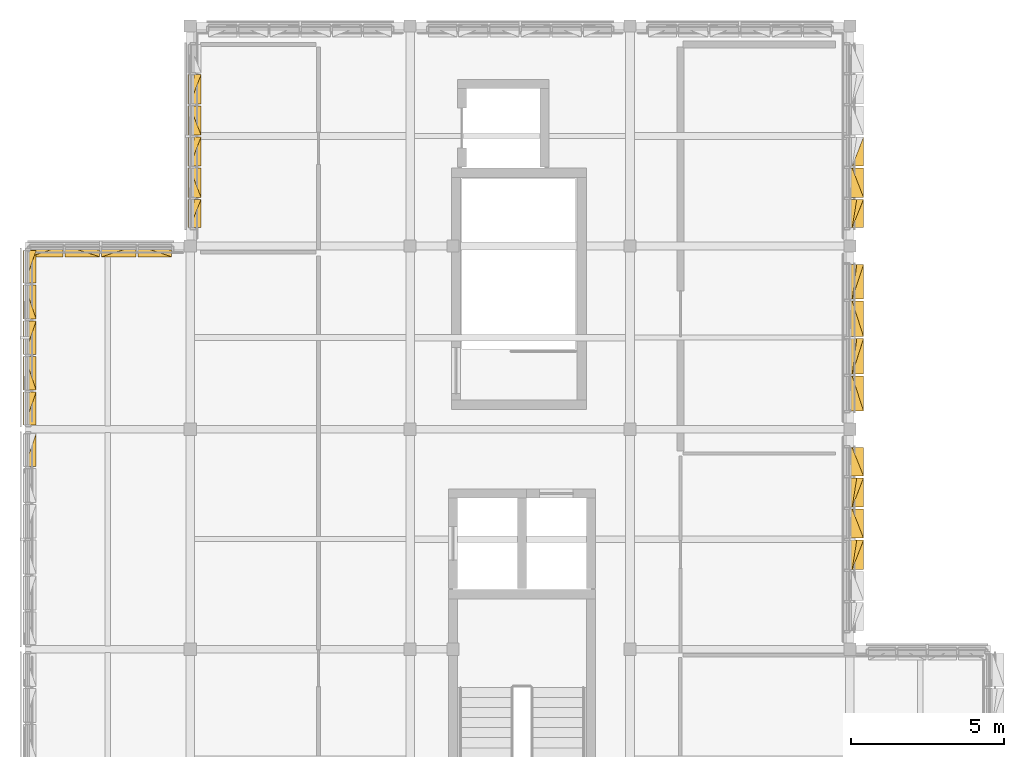
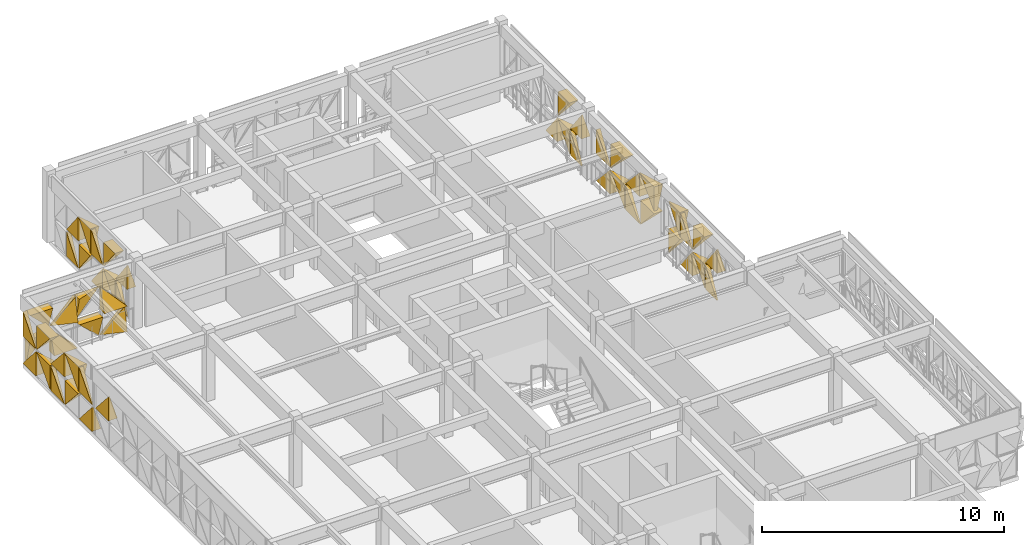
# One storey, part 24 of 25: 50 coverings.
"""IFC4 building model written with IfcOpenShell, lengths in metres."""

from ifc_helpers import new_model, si_unit, direction, frame, origin, place, context, subcontext, project, spatial, polygons, material, layer, layer_set, type_object, element, save


model = new_model("IFC4")

# Units and contexts
model_context = context("Model", 3, precision=1e-05, world=origin(), true_north=direction((0.0, 1.0)))
body_context = subcontext(model_context, "Body", "Model", "MODEL_VIEW")
ifc_project = project(units=[si_unit("LENGTHUNIT", "METRE"), si_unit("AREAUNIT", "SQUARE_METRE"), si_unit("VOLUMEUNIT", "CUBIC_METRE"), si_unit("PLANEANGLEUNIT", "RADIAN"), si_unit("MASSUNIT", "GRAM", prefix="KILO")], contexts=[model_context])

# Site, building, storey
site_placement = place(None, origin())
site = spatial("IfcSite", under=ifc_project, at=site_placement, CompositionType="ELEMENT")
building_placement = place(site_placement, origin())
building = spatial("IfcBuilding", under=site, at=building_placement, Name="Alvorim Cloister Faculty of Sciences", CompositionType="ELEMENT")
storey_placement = place(building_placement, frame((0.0, 0.0, 29.699951171875)))
storey = spatial("IfcBuildingStorey", under=building, at=storey_placement, Name="L08", CompositionType="ELEMENT", Elevation=29.699951171875)

# Coverings
ifc_material = material(Name="Perforated Bronze Alloy Sheet", Category="metal")
ifc_layer = layer(ifc_material, 0.0380859375)
ifc_layer_set = layer_set([ifc_layer], Name="Perforated Bronze Alloy Sheet")
covering_type = type_object("IfcCoveringType", Name="COV-TRI-BRZ", PredefinedType="CLADDING", material=ifc_layer_set)
covering_1_placement = place(storey_placement, frame((1.7548828125, 41.979248046875, 1.503662109375), z_axis=(0.0, 0.0, 1.0), x_axis=(0.0, 1.0, 0.0)))
element("IfcCovering", 1, at=covering_1_placement, inside=storey, type_object=covering_type, Name="Diagonal Solid Metal Triangle TRI-BL", PredefinedType="CLADDING", context=body_context, shape_type="Tessellation", body=[
    polygons([(0.0, 0.0260009765625, 0.0), (1.073927734375, 0.0260009765625, 0.0), (0.0, 0.0260009765625, 1.221388671875), (0.0, -0.4, 0.0), (1.073927734375, -0.4, 0.0), (0.0, -0.03, 1.221388671875)], [[[1, 3, 2]], [[4, 5, 6]], [[1, 2, 5, 4]], [[2, 3, 6, 5]], [[3, 1, 4, 6]]], closed=True),
])
covering_2_placement = place(storey_placement, frame((1.7548828125, 43.344970703125, 0.14013671875), z_axis=(0.0, 0.0, 1.0), x_axis=(0.0, 1.0, 0.0)))
element("IfcCovering", 2, at=covering_2_placement, inside=storey, type_object=covering_type, Name="Diagonal Solid Metal Triangle TRI-BL", PredefinedType="CLADDING", context=body_context, shape_type="Tessellation", body=[
    polygons([(0.0, 0.0260009765625, 0.0), (1.068556640625, 0.0260009765625, 0.0), (0.0, 0.0260009765625, 1.221388671875), (0.0, -0.4, 0.0), (1.068556640625, -0.4, 0.0), (0.0, -0.03, 1.221388671875)], [[[1, 3, 2]], [[4, 5, 6]], [[1, 2, 5, 4]], [[2, 3, 6, 5]], [[3, 1, 4, 6]]], closed=True),
])
covering_3_placement = place(storey_placement, frame((1.7548828125, 43.344970703125, 1.503662109375), z_axis=(0.0, 0.0, 1.0), x_axis=(0.0, 1.0, 0.0)))
element("IfcCovering", 3, at=covering_3_placement, inside=storey, type_object=covering_type, Name="Diagonal Solid Metal Triangle TRI-BR", PredefinedType="CLADDING", context=body_context, shape_type="Tessellation", body=[
    polygons([(0.002, 0.0260009765625, 0.0), (1.070556640625, 0.0260009765625, 0.0), (1.070556640625, 0.0260009765625, 1.221388671875), (0.002, -0.03, 0.0), (1.070556640625, -0.4, 0.0), (1.070556640625, -0.18000000000000002, 1.221388671875)], [[[1, 3, 2]], [[4, 5, 6]], [[1, 2, 5, 4]], [[2, 3, 6, 5]], [[3, 1, 4, 6]]], closed=True),
])
covering_4_placement = place(storey_placement, frame((1.7548828125, 44.48046875, 0.14013671875), z_axis=(0.0, 0.0, 1.0), x_axis=(0.0, 1.0, 0.0)))
element("IfcCovering", 4, at=covering_4_placement, inside=storey, type_object=covering_type, Name="Diagonal Solid Metal Triangle TRI-TR", PredefinedType="CLADDING", context=body_context, shape_type="Tessellation", body=[
    polygons([(1.10302734375, 0.0260009765625, 0.002), (1.10302734375, 0.0260009765625, 1.223388671875), (0.002, 0.0260009765625, 1.223388671875), (1.10302734375, -0.03, 0.002), (1.10302734375, -0.4, 1.223388671875), (0.002, -0.4, 1.223388671875)], [[[1, 3, 2]], [[4, 5, 6]], [[1, 2, 5, 4]], [[2, 3, 6, 5]], [[3, 1, 4, 6]]], closed=True),
])
covering_5_placement = place(storey_placement, frame((1.7548828125, 44.48046875, 1.503662109375), z_axis=(0.0, 0.0, 1.0), x_axis=(0.0, 1.0, 0.0)))
element("IfcCovering", 5, at=covering_5_placement, inside=storey, type_object=covering_type, Name="Diagonal Solid Metal Triangle TRI-TL", PredefinedType="CLADDING", context=body_context, shape_type="Tessellation", body=[
    polygons([(1.10102734375, 0.0260009765625, 1.223388671875), (0.0, 0.0260009765625, 1.223388671875), (0.0, 0.0260009765625, 0.002), (1.10102734375, -0.03, 1.223388671875), (0.0, -0.4, 1.223388671875), (0.0, -0.13999999999999999, 0.002)], [[[1, 3, 2]], [[4, 5, 6]], [[1, 2, 5, 4]], [[2, 3, 6, 5]], [[3, 1, 4, 6]]], closed=True),
])
covering_6_placement = place(storey_placement, frame((1.7548828125, 45.6484375, 0.14013671875), z_axis=(0.0, 0.0, 1.0), x_axis=(0.0, 1.0, 0.0)))
element("IfcCovering", 6, at=covering_6_placement, inside=storey, type_object=covering_type, Name="Diagonal Solid Metal Triangle TRI-BR", PredefinedType="CLADDING", context=body_context, shape_type="Tessellation", body=[
    polygons([(0.002, 0.0260009765625, 0.0), (1.10302734375, 0.0260009765625, 0.0), (1.10302734375, 0.0260009765625, 1.221388671875), (0.002, -0.03, 0.0), (1.10302734375, -0.4, 0.0), (1.10302734375, -0.18000000000000002, 1.221388671875)], [[[1, 3, 2]], [[4, 5, 6]], [[1, 2, 5, 4]], [[2, 3, 6, 5]], [[3, 1, 4, 6]]], closed=True),
])
covering_7_placement = place(storey_placement, frame((1.7548828125, 45.6484375, 1.503662109375), z_axis=(0.0, 0.0, 1.0), x_axis=(0.0, 1.0, 0.0)))
element("IfcCovering", 7, at=covering_7_placement, inside=storey, type_object=covering_type, Name="Diagonal Solid Metal Triangle TRI-BL", PredefinedType="CLADDING", context=body_context, shape_type="Tessellation", body=[
    polygons([(0.0, 0.0260009765625, 0.0), (1.10102734375, 0.0260009765625, 0.0), (0.0, 0.0260009765625, 1.221388671875), (0.0, -0.4, 0.0), (1.10102734375, -0.4, 0.0), (0.0, -0.03, 1.221388671875)], [[[1, 3, 2]], [[4, 5, 6]], [[1, 2, 5, 4]], [[2, 3, 6, 5]], [[3, 1, 4, 6]]], closed=True),
])
covering_8_placement = place(storey_placement, frame((1.7548828125, 46.81640625, 0.14013671875), z_axis=(0.0, 0.0, 1.0), x_axis=(0.0, 1.0, 0.0)))
element("IfcCovering", 8, at=covering_8_placement, inside=storey, type_object=covering_type, Name="Diagonal Solid Metal Triangle TRI-TL", PredefinedType="CLADDING", context=body_context, shape_type="Tessellation", body=[
    polygons([(1.10102734375, 0.0260009765625, 1.223388671875), (0.0, 0.0260009765625, 1.223388671875), (0.0, 0.0260009765625, 0.002), (1.10102734375, -0.03, 1.223388671875), (0.0, -0.4, 1.223388671875), (0.0, -0.13999999999999999, 0.002)], [[[1, 3, 2]], [[4, 5, 6]], [[1, 2, 5, 4]], [[2, 3, 6, 5]], [[3, 1, 4, 6]]], closed=True),
])
covering_9_placement = place(storey_placement, frame((1.7548828125, 46.81640625, 1.503662109375), z_axis=(0.0, 0.0, 1.0), x_axis=(0.0, 1.0, 0.0)))
element("IfcCovering", 9, at=covering_9_placement, inside=storey, type_object=covering_type, Name="Diagonal Solid Metal Triangle TRI-TR", PredefinedType="CLADDING", context=body_context, shape_type="Tessellation", body=[
    polygons([(1.10302734375, 0.0260009765625, 0.002), (1.10302734375, 0.0260009765625, 1.223388671875), (0.002, 0.0260009765625, 1.223388671875), (1.10302734375, -0.03, 0.002), (1.10302734375, -0.4, 1.223388671875), (0.002, -0.4, 1.223388671875)], [[[1, 3, 2]], [[4, 5, 6]], [[1, 2, 5, 4]], [[2, 3, 6, 5]], [[3, 1, 4, 6]]], closed=True),
])
covering_10_placement = place(storey_placement, frame((1.7548828125, 47.984619140625, 0.14013671875), z_axis=(0.0, 0.0, 1.0), x_axis=(0.0, 1.0, 0.0)))
element("IfcCovering", 10, at=covering_10_placement, inside=storey, type_object=covering_type, Name="Diagonal Solid Metal Triangle TRI-BL", PredefinedType="CLADDING", context=body_context, shape_type="Tessellation", body=[
    polygons([(0.0, 0.0260009765625, 0.0), (1.068556640625, 0.0260009765625, 0.0), (0.0, 0.0260009765625, 1.221388671875), (0.0, -0.4, 0.0), (1.068556640625, -0.4, 0.0), (0.0, -0.03, 1.221388671875)], [[[1, 3, 2]], [[4, 5, 6]], [[1, 2, 5, 4]], [[2, 3, 6, 5]], [[3, 1, 4, 6]]], closed=True),
])
covering_11_placement = place(storey_placement, frame((1.7548828125, 47.984619140625, 1.503662109375), z_axis=(0.0, 0.0, 1.0), x_axis=(0.0, 1.0, 0.0)))
element("IfcCovering", 11, at=covering_11_placement, inside=storey, type_object=covering_type, Name="Diagonal Solid Metal Triangle TRI-BR", PredefinedType="CLADDING", context=body_context, shape_type="Tessellation", body=[
    polygons([(0.002, 0.0260009765625, 0.0), (1.070556640625, 0.0260009765625, 0.0), (1.070556640625, 0.0260009765625, 1.221388671875), (0.002, -0.03, 0.0), (1.070556640625, -0.4, 0.0), (1.070556640625, -0.18000000000000002, 1.221388671875)], [[[1, 3, 2]], [[4, 5, 6]], [[1, 2, 5, 4]], [[2, 3, 6, 5]], [[3, 1, 4, 6]]], closed=True),
])
covering_12_placement = place(storey_placement, frame((1.945068359375, 49.2451171875, 0.14013671875), z_axis=(0.0, 0.0, 1.0), x_axis=(1.0, 0.0, 0.0)))
element("IfcCovering", 12, at=covering_12_placement, inside=storey, type_object=covering_type, Name="Diagonal Solid Metal Triangle TRI-TL", PredefinedType="CLADDING", context=body_context, shape_type="Tessellation", body=[
    polygons([(1.095412109375, 0.0260009765625, 1.14794921875), (0.0, 0.0260009765625, 1.14794921875), (0.0, 0.0260009765625, 0.002), (1.095412109375, -0.03, 1.14794921875), (0.0, -0.4, 1.14794921875), (0.0, -0.13999999999999999, 0.002)], [[[1, 3, 2]], [[4, 5, 6]], [[1, 2, 5, 4]], [[2, 3, 6, 5]], [[3, 1, 4, 6]]], closed=True),
])
covering_13_placement = place(storey_placement, frame((1.945068359375, 49.2451171875, 1.427978515625), z_axis=(0.0, 0.0, 1.0), x_axis=(1.0, 0.0, 0.0)))
element("IfcCovering", 13, at=covering_13_placement, inside=storey, type_object=covering_type, Name="Diagonal Solid Metal Triangle TRI-TR", PredefinedType="CLADDING", context=body_context, shape_type="Tessellation", body=[
    polygons([(1.097412109375, 0.0260009765625, 0.002), (1.097412109375, 0.0260009765625, 1.14794921875), (0.002, 0.0260009765625, 1.14794921875), (1.097412109375, -0.03, 0.002), (1.097412109375, -0.4, 1.14794921875), (0.002, -0.4, 1.14794921875)], [[[1, 3, 2]], [[4, 5, 6]], [[1, 2, 5, 4]], [[2, 3, 6, 5]], [[3, 1, 4, 6]]], closed=True),
])
covering_14_placement = place(storey_placement, frame((3.107421875, 49.2451171875, 0.14013671875), z_axis=(0.0, 0.0, 1.0), x_axis=(1.0, 0.0, 0.0)))
element("IfcCovering", 14, at=covering_14_placement, inside=storey, type_object=covering_type, Name="Diagonal Solid Metal Triangle TRI-BL", PredefinedType="CLADDING", context=body_context, shape_type="Tessellation", body=[
    polygons([(0.0, 0.0260009765625, 0.0), (1.1278828125, 0.0260009765625, 0.0), (0.0, 0.0260009765625, 1.14594921875), (0.0, -0.4, 0.0), (1.1278828125, -0.4, 0.0), (0.0, -0.03, 1.14594921875)], [[[1, 3, 2]], [[4, 5, 6]], [[1, 2, 5, 4]], [[2, 3, 6, 5]], [[3, 1, 4, 6]]], closed=True),
])
covering_15_placement = place(storey_placement, frame((3.107421875, 49.2451171875, 1.427978515625), z_axis=(0.0, 0.0, 1.0), x_axis=(1.0, 0.0, 0.0)))
element("IfcCovering", 15, at=covering_15_placement, inside=storey, type_object=covering_type, Name="Diagonal Solid Metal Triangle TRI-BR", PredefinedType="CLADDING", context=body_context, shape_type="Tessellation", body=[
    polygons([(0.002, 0.0260009765625, 0.0), (1.1298828125, 0.0260009765625, 0.0), (1.1298828125, 0.0260009765625, 1.14594921875), (0.002, -0.03, 0.0), (1.1298828125, -0.4, 0.0), (1.1298828125, -0.18000000000000002, 1.14594921875)], [[[1, 3, 2]], [[4, 5, 6]], [[1, 2, 5, 4]], [[2, 3, 6, 5]], [[3, 1, 4, 6]]], closed=True),
])
covering_16_placement = place(storey_placement, frame((4.302490234375, 49.2451171875, 0.14013671875), z_axis=(0.0, 0.0, 1.0), x_axis=(1.0, 0.0, 0.0)))
element("IfcCovering", 16, at=covering_16_placement, inside=storey, type_object=covering_type, Name="Diagonal Solid Metal Triangle TRI-TR", PredefinedType="CLADDING", context=body_context, shape_type="Tessellation", body=[
    polygons([(1.1298828125, 0.0260009765625, 0.002), (1.1298828125, 0.0260009765625, 1.14794921875), (0.002, 0.0260009765625, 1.14794921875), (1.1298828125, -0.03, 0.002), (1.1298828125, -0.4, 1.14794921875), (0.002, -0.4, 1.14794921875)], [[[1, 3, 2]], [[4, 5, 6]], [[1, 2, 5, 4]], [[2, 3, 6, 5]], [[3, 1, 4, 6]]], closed=True),
])
covering_17_placement = place(storey_placement, frame((4.302490234375, 49.2451171875, 1.427978515625), z_axis=(0.0, 0.0, 1.0), x_axis=(1.0, 0.0, 0.0)))
element("IfcCovering", 17, at=covering_17_placement, inside=storey, type_object=covering_type, Name="Diagonal Solid Metal Triangle TRI-TL", PredefinedType="CLADDING", context=body_context, shape_type="Tessellation", body=[
    polygons([(1.1278828125, 0.0260009765625, 1.14794921875), (0.0, 0.0260009765625, 1.14794921875), (0.0, 0.0260009765625, 0.002), (1.1278828125, -0.03, 1.14794921875), (0.0, -0.4, 1.14794921875), (0.0, -0.13999999999999999, 0.002)], [[[1, 3, 2]], [[4, 5, 6]], [[1, 2, 5, 4]], [[2, 3, 6, 5]], [[3, 1, 4, 6]]], closed=True),
])
covering_18_placement = place(storey_placement, frame((5.49755859375, 49.2451171875, 0.14013671875), z_axis=(0.0, 0.0, 1.0), x_axis=(1.0, 0.0, 0.0)))
element("IfcCovering", 18, at=covering_18_placement, inside=storey, type_object=covering_type, Name="Diagonal Solid Metal Triangle TRI-BR", PredefinedType="CLADDING", context=body_context, shape_type="Tessellation", body=[
    polygons([(0.002, 0.0260009765625, 0.0), (1.097412109375, 0.0260009765625, 0.0), (1.097412109375, 0.0260009765625, 1.14594921875), (0.002, -0.03, 0.0), (1.097412109375, -0.4, 0.0), (1.097412109375, -0.18000000000000002, 1.14594921875)], [[[1, 3, 2]], [[4, 5, 6]], [[1, 2, 5, 4]], [[2, 3, 6, 5]], [[3, 1, 4, 6]]], closed=True),
])
covering_19_placement = place(storey_placement, frame((5.49755859375, 49.2451171875, 1.427978515625), z_axis=(0.0, 0.0, 1.0), x_axis=(1.0, 0.0, 0.0)))
element("IfcCovering", 19, at=covering_19_placement, inside=storey, type_object=covering_type, Name="Diagonal Solid Metal Triangle TRI-BL", PredefinedType="CLADDING", context=body_context, shape_type="Tessellation", body=[
    polygons([(0.0, 0.0260009765625, 0.0), (1.095412109375, 0.0260009765625, 0.0), (0.0, 0.0260009765625, 1.14594921875), (0.0, -0.4, 0.0), (1.095412109375, -0.4, 0.0), (0.0, -0.03, 1.14594921875)], [[[1, 3, 2]], [[4, 5, 6]], [[1, 2, 5, 4]], [[2, 3, 6, 5]], [[3, 1, 4, 6]]], closed=True),
])
covering_20_placement = place(storey_placement, frame((7.155029296875, 49.804931640625, 0.14013671875), z_axis=(0.0, 0.0, 1.0), x_axis=(0.0, 1.0, 0.0)))
element("IfcCovering", 20, at=covering_20_placement, inside=storey, type_object=covering_type, Name="Diagonal Solid Metal Triangle TRI-BR", PredefinedType="CLADDING", context=body_context, shape_type="Tessellation", body=[
    polygons([(0.002, 0.0260009765625, 0.0), (0.922607421875, 0.0260009765625, 0.0), (0.922607421875, 0.0260009765625, 1.217970703125), (0.002, -0.03, 0.0), (0.922607421875, -0.4, 0.0), (0.922607421875, -0.18000000000000002, 1.217970703125)], [[[1, 3, 2]], [[4, 5, 6]], [[1, 2, 5, 4]], [[2, 3, 6, 5]], [[3, 1, 4, 6]]], closed=True),
])
covering_21_placement = place(storey_placement, frame((7.155029296875, 49.804931640625, 1.5), z_axis=(0.0, 0.0, 1.0), x_axis=(0.0, 1.0, 0.0)))
element("IfcCovering", 21, at=covering_21_placement, inside=storey, type_object=covering_type, Name="Diagonal Solid Metal Triangle TRI-BL", PredefinedType="CLADDING", context=body_context, shape_type="Tessellation", body=[
    polygons([(0.0, 0.0260009765625, 0.0), (0.920607421875, 0.0260009765625, 0.0), (0.0, 0.0260009765625, 1.217970703125), (0.0, -0.4, 0.0), (0.920607421875, -0.4, 0.0), (0.0, -0.03, 1.217970703125)], [[[1, 3, 2]], [[4, 5, 6]], [[1, 2, 5, 4]], [[2, 3, 6, 5]], [[3, 1, 4, 6]]], closed=True),
])
covering_22_placement = place(storey_placement, frame((7.155029296875, 50.79248046875, 0.14013671875), z_axis=(0.0, 0.0, 1.0), x_axis=(0.0, 1.0, 0.0)))
element("IfcCovering", 22, at=covering_22_placement, inside=storey, type_object=covering_type, Name="Diagonal Solid Metal Triangle TRI-TL", PredefinedType="CLADDING", context=body_context, shape_type="Tessellation", body=[
    polygons([(0.953078125, 0.0260009765625, 1.219970703125), (0.0, 0.0260009765625, 1.219970703125), (0.0, 0.0260009765625, 0.002), (0.953078125, -0.03, 1.219970703125), (0.0, -0.4, 1.219970703125), (0.0, -0.13999999999999999, 0.002)], [[[1, 3, 2]], [[4, 5, 6]], [[1, 2, 5, 4]], [[2, 3, 6, 5]], [[3, 1, 4, 6]]], closed=True),
])
covering_23_placement = place(storey_placement, frame((7.155029296875, 50.79248046875, 1.5), z_axis=(0.0, 0.0, 1.0), x_axis=(0.0, 1.0, 0.0)))
element("IfcCovering", 23, at=covering_23_placement, inside=storey, type_object=covering_type, Name="Diagonal Solid Metal Triangle TRI-TR", PredefinedType="CLADDING", context=body_context, shape_type="Tessellation", body=[
    polygons([(0.955078125, 0.0260009765625, 0.002), (0.955078125, 0.0260009765625, 1.219970703125), (0.002, 0.0260009765625, 1.219970703125), (0.955078125, -0.03, 0.002), (0.955078125, -0.4, 1.219970703125), (0.002, -0.4, 1.219970703125)], [[[1, 3, 2]], [[4, 5, 6]], [[1, 2, 5, 4]], [[2, 3, 6, 5]], [[3, 1, 4, 6]]], closed=True),
])
covering_24_placement = place(storey_placement, frame((7.155029296875, 51.8125, 0.14013671875), z_axis=(0.0, 0.0, 1.0), x_axis=(0.0, 1.0, 0.0)))
element("IfcCovering", 24, at=covering_24_placement, inside=storey, type_object=covering_type, Name="Diagonal Solid Metal Triangle TRI-BL", PredefinedType="CLADDING", context=body_context, shape_type="Tessellation", body=[
    polygons([(0.0, 0.0260009765625, 0.0), (0.953078125, 0.0260009765625, 0.0), (0.0, 0.0260009765625, 1.217970703125), (0.0, -0.4, 0.0), (0.953078125, -0.4, 0.0), (0.0, -0.03, 1.217970703125)], [[[1, 3, 2]], [[4, 5, 6]], [[1, 2, 5, 4]], [[2, 3, 6, 5]], [[3, 1, 4, 6]]], closed=True),
])
covering_25_placement = place(storey_placement, frame((7.155029296875, 51.8125, 1.5), z_axis=(0.0, 0.0, 1.0), x_axis=(0.0, 1.0, 0.0)))
element("IfcCovering", 25, at=covering_25_placement, inside=storey, type_object=covering_type, Name="Diagonal Solid Metal Triangle TRI-BR", PredefinedType="CLADDING", context=body_context, shape_type="Tessellation", body=[
    polygons([(0.002, 0.0260009765625, 0.0), (0.955078125, 0.0260009765625, 0.0), (0.955078125, 0.0260009765625, 1.217970703125), (0.002, -0.03, 0.0), (0.955078125, -0.4, 0.0), (0.955078125, -0.18000000000000002, 1.217970703125)], [[[1, 3, 2]], [[4, 5, 6]], [[1, 2, 5, 4]], [[2, 3, 6, 5]], [[3, 1, 4, 6]]], closed=True),
])
covering_26_placement = place(storey_placement, frame((7.155029296875, 52.83251953125, 0.14013671875), z_axis=(0.0, 0.0, 1.0), x_axis=(0.0, 1.0, 0.0)))
element("IfcCovering", 26, at=covering_26_placement, inside=storey, type_object=covering_type, Name="Diagonal Solid Metal Triangle TRI-TR", PredefinedType="CLADDING", context=body_context, shape_type="Tessellation", body=[
    polygons([(0.955078125, 0.0260009765625, 0.002), (0.955078125, 0.0260009765625, 1.219970703125), (0.002, 0.0260009765625, 1.219970703125), (0.955078125, -0.03, 0.002), (0.955078125, -0.4, 1.219970703125), (0.002, -0.4, 1.219970703125)], [[[1, 3, 2]], [[4, 5, 6]], [[1, 2, 5, 4]], [[2, 3, 6, 5]], [[3, 1, 4, 6]]], closed=True),
])
covering_27_placement = place(storey_placement, frame((7.155029296875, 52.83251953125, 1.5), z_axis=(0.0, 0.0, 1.0), x_axis=(0.0, 1.0, 0.0)))
element("IfcCovering", 27, at=covering_27_placement, inside=storey, type_object=covering_type, Name="Diagonal Solid Metal Triangle TRI-TL", PredefinedType="CLADDING", context=body_context, shape_type="Tessellation", body=[
    polygons([(0.953078125, 0.0260009765625, 1.219970703125), (0.0, 0.0260009765625, 1.219970703125), (0.0, 0.0260009765625, 0.002), (0.953078125, -0.03, 1.219970703125), (0.0, -0.4, 1.219970703125), (0.0, -0.13999999999999999, 0.002)], [[[1, 3, 2]], [[4, 5, 6]], [[1, 2, 5, 4]], [[2, 3, 6, 5]], [[3, 1, 4, 6]]], closed=True),
])
covering_28_placement = place(storey_placement, frame((7.155029296875, 53.8525390625, 0.14013671875), z_axis=(0.0, 0.0, 1.0), x_axis=(0.0, 1.0, 0.0)))
element("IfcCovering", 28, at=covering_28_placement, inside=storey, type_object=covering_type, Name="Diagonal Solid Metal Triangle TRI-BR", PredefinedType="CLADDING", context=body_context, shape_type="Tessellation", body=[
    polygons([(0.002, 0.0260009765625, 0.0), (0.955078125, 0.0260009765625, 0.0), (0.955078125, 0.0260009765625, 1.217970703125), (0.002, -0.03, 0.0), (0.955078125, -0.4, 0.0), (0.955078125, -0.18000000000000002, 1.217970703125)], [[[1, 3, 2]], [[4, 5, 6]], [[1, 2, 5, 4]], [[2, 3, 6, 5]], [[3, 1, 4, 6]]], closed=True),
])
covering_29_placement = place(storey_placement, frame((7.155029296875, 53.8525390625, 1.5), z_axis=(0.0, 0.0, 1.0), x_axis=(0.0, 1.0, 0.0)))
element("IfcCovering", 29, at=covering_29_placement, inside=storey, type_object=covering_type, Name="Diagonal Solid Metal Triangle TRI-BL", PredefinedType="CLADDING", context=body_context, shape_type="Tessellation", body=[
    polygons([(0.0, 0.0260009765625, 0.0), (0.953078125, 0.0260009765625, 0.0), (0.0, 0.0260009765625, 1.217970703125), (0.0, -0.4, 0.0), (0.953078125, -0.4, 0.0), (0.0, -0.03, 1.217970703125)], [[[1, 3, 2]], [[4, 5, 6]], [[1, 2, 5, 4]], [[2, 3, 6, 5]], [[3, 1, 4, 6]]], closed=True),
])
covering_30_placement = place(storey_placement, frame((28.844970703125, 49.804931640625, 0.14013671875), z_axis=(0.0, 0.0, 1.0), x_axis=(0.0, 1.0, 0.0)))
element("IfcCovering", 30, at=covering_30_placement, inside=storey, type_object=covering_type, Name="Diagonal Solid Metal Triangle TRI-BR", PredefinedType="CLADDING", context=body_context, shape_type="Tessellation", body=[
    polygons([(0.002, 0.0260009765625, 0.0), (0.922607421875, 0.0260009765625, 0.0), (0.922607421875, 0.0260009765625, 1.217970703125), (0.002, -0.03, 0.0), (0.922607421875, -0.4, 0.0), (0.922607421875, -0.18000000000000002, 1.217970703125)], [[[1, 3, 2]], [[4, 5, 6]], [[1, 2, 5, 4]], [[2, 3, 6, 5]], [[3, 1, 4, 6]]], closed=True),
])
covering_31_placement = place(storey_placement, frame((28.844970703125, 49.804931640625, 1.5), z_axis=(0.0, 0.0, 1.0), x_axis=(0.0, 1.0, 0.0)))
element("IfcCovering", 31, at=covering_31_placement, inside=storey, type_object=covering_type, Name="Diagonal Solid Metal Triangle TRI-BL", PredefinedType="CLADDING", context=body_context, shape_type="Tessellation", body=[
    polygons([(0.0, 0.0260009765625, 0.0), (0.920607421875, 0.0260009765625, 0.0), (0.0, 0.0260009765625, 1.217970703125), (0.0, -0.4, 0.0), (0.920607421875, -0.4, 0.0), (0.0, -0.03, 1.217970703125)], [[[1, 3, 2]], [[4, 5, 6]], [[1, 2, 5, 4]], [[2, 3, 6, 5]], [[3, 1, 4, 6]]], closed=True),
])
covering_32_placement = place(storey_placement, frame((28.844970703125, 50.79248046875, 0.14013671875), z_axis=(0.0, 0.0, 1.0), x_axis=(0.0, 1.0, 0.0)))
element("IfcCovering", 32, at=covering_32_placement, inside=storey, type_object=covering_type, Name="Diagonal Solid Metal Triangle TRI-TL", PredefinedType="CLADDING", context=body_context, shape_type="Tessellation", body=[
    polygons([(0.953078125, 0.0260009765625, 1.219970703125), (0.0, 0.0260009765625, 1.219970703125), (0.0, 0.0260009765625, 0.002), (0.953078125, -0.03, 1.219970703125), (0.0, -0.4, 1.219970703125), (0.0, -0.13999999999999999, 0.002)], [[[1, 3, 2]], [[4, 5, 6]], [[1, 2, 5, 4]], [[2, 3, 6, 5]], [[3, 1, 4, 6]]], closed=True),
])
covering_33_placement = place(storey_placement, frame((28.844970703125, 50.79248046875, 1.5), z_axis=(0.0, 0.0, 1.0), x_axis=(0.0, 1.0, 0.0)))
element("IfcCovering", 33, at=covering_33_placement, inside=storey, type_object=covering_type, Name="Diagonal Solid Metal Triangle TRI-TR", PredefinedType="CLADDING", context=body_context, shape_type="Tessellation", body=[
    polygons([(0.955078125, 0.0260009765625, 0.002), (0.955078125, 0.0260009765625, 1.219970703125), (0.002, 0.0260009765625, 1.219970703125), (0.955078125, -0.03, 0.002), (0.955078125, -0.4, 1.219970703125), (0.002, -0.4, 1.219970703125)], [[[1, 3, 2]], [[4, 5, 6]], [[1, 2, 5, 4]], [[2, 3, 6, 5]], [[3, 1, 4, 6]]], closed=True),
])
covering_34_placement = place(storey_placement, frame((28.844970703125, 51.8125, 0.14013671875), z_axis=(0.0, 0.0, 1.0), x_axis=(0.0, 1.0, 0.0)))
element("IfcCovering", 34, at=covering_34_placement, inside=storey, type_object=covering_type, Name="Diagonal Solid Metal Triangle TRI-BL", PredefinedType="CLADDING", context=body_context, shape_type="Tessellation", body=[
    polygons([(0.0, 0.0260009765625, 0.0), (0.953078125, 0.0260009765625, 0.0), (0.0, 0.0260009765625, 1.217970703125), (0.0, -0.4, 0.0), (0.953078125, -0.4, 0.0), (0.0, -0.03, 1.217970703125)], [[[1, 3, 2]], [[4, 5, 6]], [[1, 2, 5, 4]], [[2, 3, 6, 5]], [[3, 1, 4, 6]]], closed=True),
])
covering_35_placement = place(storey_placement, frame((28.844970703125, 43.804931640625, 0.14013671875), z_axis=(0.0, 0.0, 1.0), x_axis=(0.0, 1.0, 0.0)))
element("IfcCovering", 35, at=covering_35_placement, inside=storey, type_object=covering_type, Name="Diagonal Solid Metal Triangle TRI-TR", PredefinedType="CLADDING", context=body_context, shape_type="Tessellation", body=[
    polygons([(1.132568359375, 0.0260009765625, 0.002), (1.132568359375, 0.0260009765625, 1.219970703125), (0.002, 0.0260009765625, 1.219970703125), (1.132568359375, -0.03, 0.002), (1.132568359375, -0.4, 1.219970703125), (0.002, -0.4, 1.219970703125)], [[[1, 3, 2]], [[4, 5, 6]], [[1, 2, 5, 4]], [[2, 3, 6, 5]], [[3, 1, 4, 6]]], closed=True),
])
covering_36_placement = place(storey_placement, frame((28.844970703125, 43.804931640625, 1.5), z_axis=(0.0, 0.0, 1.0), x_axis=(0.0, 1.0, 0.0)))
element("IfcCovering", 36, at=covering_36_placement, inside=storey, type_object=covering_type, Name="Diagonal Solid Metal Triangle TRI-TL", PredefinedType="CLADDING", context=body_context, shape_type="Tessellation", body=[
    polygons([(1.130568359375, 0.0260009765625, 1.219970703125), (0.0, 0.0260009765625, 1.219970703125), (0.0, 0.0260009765625, 0.002), (1.130568359375, -0.03, 1.219970703125), (0.0, -0.4, 1.219970703125), (0.0, -0.13999999999999999, 0.002)], [[[1, 3, 2]], [[4, 5, 6]], [[1, 2, 5, 4]], [[2, 3, 6, 5]], [[3, 1, 4, 6]]], closed=True),
])
covering_37_placement = place(storey_placement, frame((28.844970703125, 45.00244140625, 0.14013671875), z_axis=(0.0, 0.0, 1.0), x_axis=(0.0, 1.0, 0.0)))
element("IfcCovering", 37, at=covering_37_placement, inside=storey, type_object=covering_type, Name="Diagonal Solid Metal Triangle TRI-BR", PredefinedType="CLADDING", context=body_context, shape_type="Tessellation", body=[
    polygons([(0.002, 0.0260009765625, 0.0), (1.1650390625, 0.0260009765625, 0.0), (1.1650390625, 0.0260009765625, 1.217970703125), (0.002, -0.03, 0.0), (1.1650390625, -0.4, 0.0), (1.1650390625, -0.18000000000000002, 1.217970703125)], [[[1, 3, 2]], [[4, 5, 6]], [[1, 2, 5, 4]], [[2, 3, 6, 5]], [[3, 1, 4, 6]]], closed=True),
])
covering_38_placement = place(storey_placement, frame((28.844970703125, 45.00244140625, 1.5), z_axis=(0.0, 0.0, 1.0), x_axis=(0.0, 1.0, 0.0)))
element("IfcCovering", 38, at=covering_38_placement, inside=storey, type_object=covering_type, Name="Diagonal Solid Metal Triangle TRI-BL", PredefinedType="CLADDING", context=body_context, shape_type="Tessellation", body=[
    polygons([(0.0, 0.0260009765625, 0.0), (1.1630390625, 0.0260009765625, 0.0), (0.0, 0.0260009765625, 1.217970703125), (0.0, -0.4, 0.0), (1.1630390625, -0.4, 0.0), (0.0, -0.03, 1.217970703125)], [[[1, 3, 2]], [[4, 5, 6]], [[1, 2, 5, 4]], [[2, 3, 6, 5]], [[3, 1, 4, 6]]], closed=True),
])
covering_39_placement = place(storey_placement, frame((28.844970703125, 46.232421875, 0.14013671875), z_axis=(0.0, 0.0, 1.0), x_axis=(0.0, 1.0, 0.0)))
element("IfcCovering", 39, at=covering_39_placement, inside=storey, type_object=covering_type, Name="Diagonal Solid Metal Triangle TRI-TL", PredefinedType="CLADDING", context=body_context, shape_type="Tessellation", body=[
    polygons([(1.1630390625, 0.0260009765625, 1.219970703125), (0.0, 0.0260009765625, 1.219970703125), (0.0, 0.0260009765625, 0.002), (1.1630390625, -0.03, 1.219970703125), (0.0, -0.4, 1.219970703125), (0.0, -0.13999999999999999, 0.002)], [[[1, 3, 2]], [[4, 5, 6]], [[1, 2, 5, 4]], [[2, 3, 6, 5]], [[3, 1, 4, 6]]], closed=True),
])
covering_40_placement = place(storey_placement, frame((28.844970703125, 46.232421875, 1.5), z_axis=(0.0, 0.0, 1.0), x_axis=(0.0, 1.0, 0.0)))
element("IfcCovering", 40, at=covering_40_placement, inside=storey, type_object=covering_type, Name="Diagonal Solid Metal Triangle TRI-TR", PredefinedType="CLADDING", context=body_context, shape_type="Tessellation", body=[
    polygons([(1.1650390625, 0.0260009765625, 0.002), (1.1650390625, 0.0260009765625, 1.219970703125), (0.002, 0.0260009765625, 1.219970703125), (1.1650390625, -0.03, 0.002), (1.1650390625, -0.4, 1.219970703125), (0.002, -0.4, 1.219970703125)], [[[1, 3, 2]], [[4, 5, 6]], [[1, 2, 5, 4]], [[2, 3, 6, 5]], [[3, 1, 4, 6]]], closed=True),
])
covering_41_placement = place(storey_placement, frame((28.844970703125, 47.46240234375, 0.14013671875), z_axis=(0.0, 0.0, 1.0), x_axis=(0.0, 1.0, 0.0)))
element("IfcCovering", 41, at=covering_41_placement, inside=storey, type_object=covering_type, Name="Diagonal Solid Metal Triangle TRI-BL", PredefinedType="CLADDING", context=body_context, shape_type="Tessellation", body=[
    polygons([(0.0, 0.0260009765625, 0.0), (1.130568359375, 0.0260009765625, 0.0), (0.0, 0.0260009765625, 1.217970703125), (0.0, -0.4, 0.0), (1.130568359375, -0.4, 0.0), (0.0, -0.03, 1.217970703125)], [[[1, 3, 2]], [[4, 5, 6]], [[1, 2, 5, 4]], [[2, 3, 6, 5]], [[3, 1, 4, 6]]], closed=True),
])
covering_42_placement = place(storey_placement, frame((28.844970703125, 47.46240234375, 1.5), z_axis=(0.0, 0.0, 1.0), x_axis=(0.0, 1.0, 0.0)))
element("IfcCovering", 42, at=covering_42_placement, inside=storey, type_object=covering_type, Name="Diagonal Solid Metal Triangle TRI-BR", PredefinedType="CLADDING", context=body_context, shape_type="Tessellation", body=[
    polygons([(0.002, 0.0260009765625, 0.0), (1.132568359375, 0.0260009765625, 0.0), (1.132568359375, 0.0260009765625, 1.217970703125), (0.002, -0.03, 0.0), (1.132568359375, -0.4, 0.0), (1.132568359375, -0.18000000000000002, 1.217970703125)], [[[1, 3, 2]], [[4, 5, 6]], [[1, 2, 5, 4]], [[2, 3, 6, 5]], [[3, 1, 4, 6]]], closed=True),
])
covering_43_placement = place(storey_placement, frame((28.844970703125, 38.612548828125, 0.14013671875), z_axis=(0.0, 0.0, 1.0), x_axis=(0.0, 1.0, 0.0)))
element("IfcCovering", 43, at=covering_43_placement, inside=storey, type_object=covering_type, Name="Diagonal Solid Metal Triangle TRI-BR", PredefinedType="CLADDING", context=body_context, shape_type="Tessellation", body=[
    polygons([(0.002, 0.0260009765625, 0.0), (0.955078125, 0.0260009765625, 0.0), (0.955078125, 0.0260009765625, 1.217970703125), (0.002, -0.03, 0.0), (0.955078125, -0.4, 0.0), (0.955078125, -0.18000000000000002, 1.217970703125)], [[[1, 3, 2]], [[4, 5, 6]], [[1, 2, 5, 4]], [[2, 3, 6, 5]], [[3, 1, 4, 6]]], closed=True),
])
covering_44_placement = place(storey_placement, frame((28.844970703125, 38.612548828125, 1.5), z_axis=(0.0, 0.0, 1.0), x_axis=(0.0, 1.0, 0.0)))
element("IfcCovering", 44, at=covering_44_placement, inside=storey, type_object=covering_type, Name="Diagonal Solid Metal Triangle TRI-BL", PredefinedType="CLADDING", context=body_context, shape_type="Tessellation", body=[
    polygons([(0.0, 0.0260009765625, 0.0), (0.953078125, 0.0260009765625, 0.0), (0.0, 0.0260009765625, 1.217970703125), (0.0, -0.4, 0.0), (0.953078125, -0.4, 0.0), (0.0, -0.03, 1.217970703125)], [[[1, 3, 2]], [[4, 5, 6]], [[1, 2, 5, 4]], [[2, 3, 6, 5]], [[3, 1, 4, 6]]], closed=True),
])
covering_45_placement = place(storey_placement, frame((28.844970703125, 39.632568359375, 0.14013671875), z_axis=(0.0, 0.0, 1.0), x_axis=(0.0, 1.0, 0.0)))
element("IfcCovering", 45, at=covering_45_placement, inside=storey, type_object=covering_type, Name="Diagonal Solid Metal Triangle TRI-TL", PredefinedType="CLADDING", context=body_context, shape_type="Tessellation", body=[
    polygons([(0.953078125, 0.0260009765625, 1.219970703125), (0.0, 0.0260009765625, 1.219970703125), (0.0, 0.0260009765625, 0.002), (0.953078125, -0.03, 1.219970703125), (0.0, -0.4, 1.219970703125), (0.0, -0.13999999999999999, 0.002)], [[[1, 3, 2]], [[4, 5, 6]], [[1, 2, 5, 4]], [[2, 3, 6, 5]], [[3, 1, 4, 6]]], closed=True),
])
covering_46_placement = place(storey_placement, frame((28.844970703125, 39.632568359375, 1.5), z_axis=(0.0, 0.0, 1.0), x_axis=(0.0, 1.0, 0.0)))
element("IfcCovering", 46, at=covering_46_placement, inside=storey, type_object=covering_type, Name="Diagonal Solid Metal Triangle TRI-TR", PredefinedType="CLADDING", context=body_context, shape_type="Tessellation", body=[
    polygons([(0.955078125, 0.0260009765625, 0.002), (0.955078125, 0.0260009765625, 1.219970703125), (0.002, 0.0260009765625, 1.219970703125), (0.955078125, -0.03, 0.002), (0.955078125, -0.4, 1.219970703125), (0.002, -0.4, 1.219970703125)], [[[1, 3, 2]], [[4, 5, 6]], [[1, 2, 5, 4]], [[2, 3, 6, 5]], [[3, 1, 4, 6]]], closed=True),
])
covering_47_placement = place(storey_placement, frame((28.844970703125, 40.652587890625, 0.14013671875), z_axis=(0.0, 0.0, 1.0), x_axis=(0.0, 1.0, 0.0)))
element("IfcCovering", 47, at=covering_47_placement, inside=storey, type_object=covering_type, Name="Diagonal Solid Metal Triangle TRI-BL", PredefinedType="CLADDING", context=body_context, shape_type="Tessellation", body=[
    polygons([(0.0, 0.0260009765625, 0.0), (0.953078125, 0.0260009765625, 0.0), (0.0, 0.0260009765625, 1.217970703125), (0.0, -0.4, 0.0), (0.953078125, -0.4, 0.0), (0.0, -0.03, 1.217970703125)], [[[1, 3, 2]], [[4, 5, 6]], [[1, 2, 5, 4]], [[2, 3, 6, 5]], [[3, 1, 4, 6]]], closed=True),
])
covering_48_placement = place(storey_placement, frame((28.844970703125, 40.652587890625, 1.5), z_axis=(0.0, 0.0, 1.0), x_axis=(0.0, 1.0, 0.0)))
element("IfcCovering", 48, at=covering_48_placement, inside=storey, type_object=covering_type, Name="Diagonal Solid Metal Triangle TRI-BR", PredefinedType="CLADDING", context=body_context, shape_type="Tessellation", body=[
    polygons([(0.002, 0.0260009765625, 0.0), (0.955078125, 0.0260009765625, 0.0), (0.955078125, 0.0260009765625, 1.217970703125), (0.002, -0.03, 0.0), (0.955078125, -0.4, 0.0), (0.955078125, -0.18000000000000002, 1.217970703125)], [[[1, 3, 2]], [[4, 5, 6]], [[1, 2, 5, 4]], [[2, 3, 6, 5]], [[3, 1, 4, 6]]], closed=True),
])
covering_49_placement = place(storey_placement, frame((28.844970703125, 41.672607421875, 0.14013671875), z_axis=(0.0, 0.0, 1.0), x_axis=(0.0, 1.0, 0.0)))
element("IfcCovering", 49, at=covering_49_placement, inside=storey, type_object=covering_type, Name="Diagonal Solid Metal Triangle TRI-TR", PredefinedType="CLADDING", context=body_context, shape_type="Tessellation", body=[
    polygons([(0.922607421875, 0.0260009765625, 0.002), (0.922607421875, 0.0260009765625, 1.219970703125), (0.002, 0.0260009765625, 1.219970703125), (0.922607421875, -0.03, 0.002), (0.922607421875, -0.4, 1.219970703125), (0.002, -0.4, 1.219970703125)], [[[1, 3, 2]], [[4, 5, 6]], [[1, 2, 5, 4]], [[2, 3, 6, 5]], [[3, 1, 4, 6]]], closed=True),
])
covering_50_placement = place(storey_placement, frame((28.844970703125, 41.672607421875, 1.5), z_axis=(0.0, 0.0, 1.0), x_axis=(0.0, 1.0, 0.0)))
element("IfcCovering", 50, at=covering_50_placement, inside=storey, type_object=covering_type, Name="Diagonal Solid Metal Triangle TRI-TL", PredefinedType="CLADDING", context=body_context, shape_type="Tessellation", body=[
    polygons([(0.920607421875, 0.0260009765625, 1.219970703125), (0.0, 0.0260009765625, 1.219970703125), (0.0, 0.0260009765625, 0.002), (0.920607421875, -0.03, 1.219970703125), (0.0, -0.4, 1.219970703125), (0.0, -0.13999999999999999, 0.002)], [[[1, 3, 2]], [[4, 5, 6]], [[1, 2, 5, 4]], [[2, 3, 6, 5]], [[3, 1, 4, 6]]], closed=True),
])

save(model, "model.ifc")
